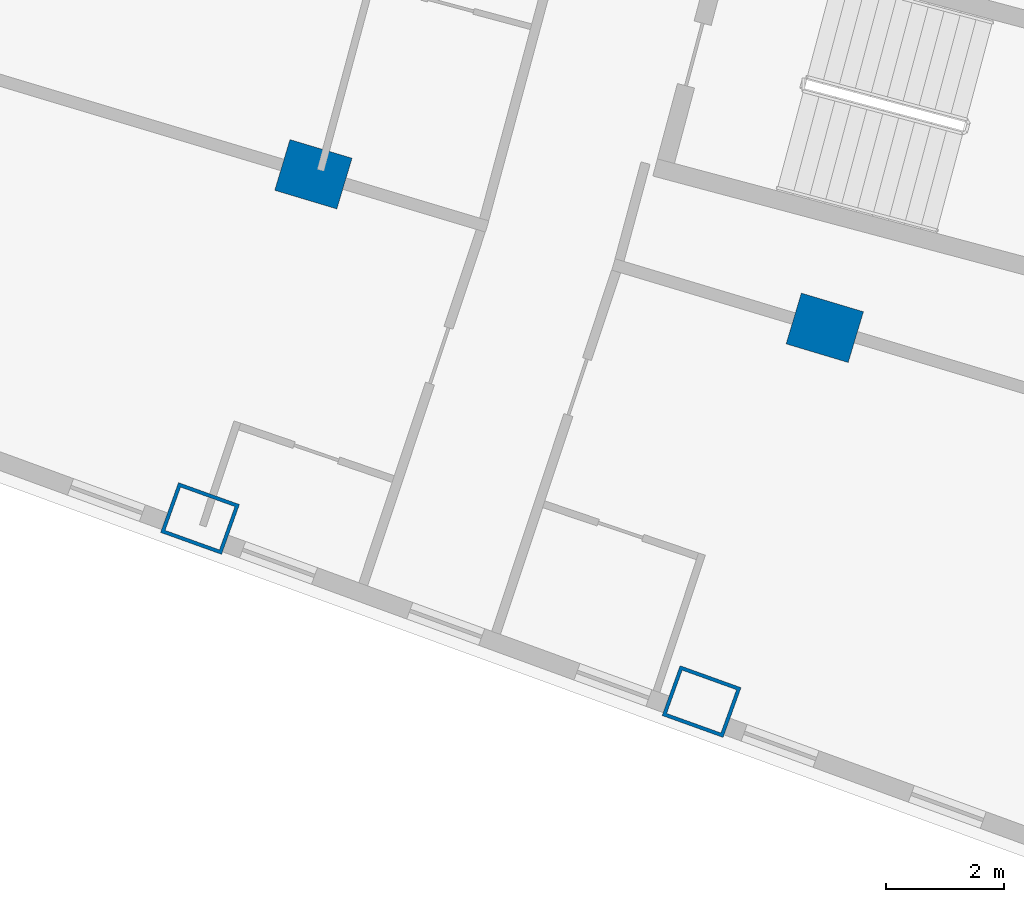
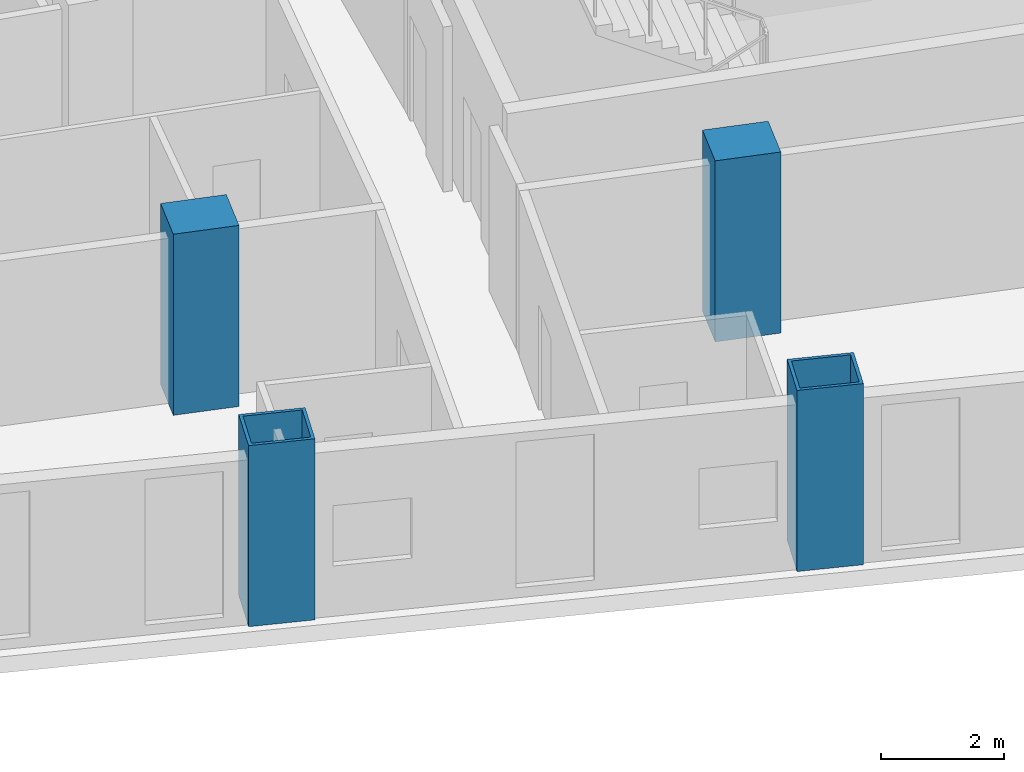
# One storey, part 2 of 25: 4 columns.
"""IFC4 building model written with IfcOpenShell, lengths in metres."""

from ifc_helpers import new_model, si_unit, direction, frame, origin, origin_2d, place, context, subcontext, project, spatial, rectangle, hollow_rectangle, extrude, material, material_profile, profile_set, type_object, element, save


model = new_model("IFC4")

# Units and contexts
model_context = context("Model", 3, precision=1e-05, world=origin(), true_north=direction((0.0, 1.0)))
body_context = subcontext(model_context, "Body", "Model", "MODEL_VIEW")
ifc_project = project(units=[si_unit("LENGTHUNIT", "METRE"), si_unit("AREAUNIT", "SQUARE_METRE"), si_unit("VOLUMEUNIT", "CUBIC_METRE"), si_unit("PLANEANGLEUNIT", "RADIAN"), si_unit("MASSUNIT", "GRAM", prefix="KILO")], contexts=[model_context])

# Site, building, storey
site_placement = place(None, origin())
site = spatial("IfcSite", under=ifc_project, at=site_placement, CompositionType="ELEMENT")
building_placement = place(site_placement, origin())
building = spatial("IfcBuilding", under=site, at=building_placement, Name="Alderwake Tower", CompositionType="ELEMENT")
storey_placement = place(building_placement, frame((0.0, 0.0, 46.39990234375)))
storey = spatial("IfcBuildingStorey", under=building, at=storey_placement, Name="L10", CompositionType="ELEMENT", Elevation=46.39990234375)

# Columns
ifc_material_1 = material(Name="Steel ASTM A572 Grade 50 concrete filled C70/85", Category="concrete")
ifc_material_profile_1 = material_profile(ifc_material_1, hollow_rectangle(XDim=0.89990234375, YDim=1.10009765625, WallThickness=0.06005859375, at=origin_2d()), Name="BOX 1100X900X60")
ifc_profile_set_1 = profile_set([ifc_material_profile_1], Name="Steel ASTM A572 Grade 50 concrete filled C70/85")
column_type_1 = type_object("IfcColumnType", Name="End column Z1", PredefinedType="COLUMN", material=ifc_profile_set_1)
for number, where, z_axis, x_axis, name in (
    (1, (28.983642578125, 21.856689453125, 0.0), (0.0, 0.0, 1.0), (0.338026774049, 0.941136493834, 0.0), "Column R01-C2"),
    (2, (37.500732421875, 18.74755859375, 0.0), (0.0, 0.0, 1.0), (0.338379907748, 0.941009584453, 0.0), "Column R01-C3"),
):
    element("IfcColumn", number, at=place(storey_placement, frame(where, z_axis=z_axis, x_axis=x_axis)), inside=storey, type_object=column_type_1, Name=name, PredefinedType="COLUMN", context=body_context, shape_type="SweptSolid", body=[
        extrude(hollow_rectangle(XDim=0.89990234375, YDim=1.10009765625, WallThickness=0.06005859375, at=origin_2d()), origin(), (0.0, 0.0, 1.0), 3.60009765625),
    ])
ifc_material_2 = material(Name="Concrete C70/85", Category="concrete")
ifc_material_profile_2 = material_profile(ifc_material_2, rectangle(XDim=0.89990234375, YDim=1.10009765625, at=origin_2d()), Name="RC 1100X900")
ifc_profile_set_2 = profile_set([ifc_material_profile_2], Name="Concrete C70/85")
column_type_2 = type_object("IfcColumnType", Name="Interior column Z1", PredefinedType="COLUMN", material=ifc_profile_set_2)
for number, where, z_axis, x_axis, name in (
    (3, (30.9091796875, 27.701904296875, 0.0), (0.0, 0.0, 1.0), (0.287549418125, 0.957765802342, 0.0), "Column R02-C2"),
    (4, (39.593017578125, 25.0947265625, 0.0), (0.0, 0.0, 1.0), (0.287549418125, 0.957765802342, 0.0), "Column R02-C3"),
):
    element("IfcColumn", number, at=place(storey_placement, frame(where, z_axis=z_axis, x_axis=x_axis)), inside=storey, type_object=column_type_2, Name=name, PredefinedType="COLUMN", context=body_context, shape_type="SweptSolid", body=[
        extrude(rectangle(XDim=0.89990234375, YDim=1.10009765625, at=origin_2d()), origin(), (0.0, 0.0, 1.0), 3.60009765625),
    ])

save(model, "model.ifc")
